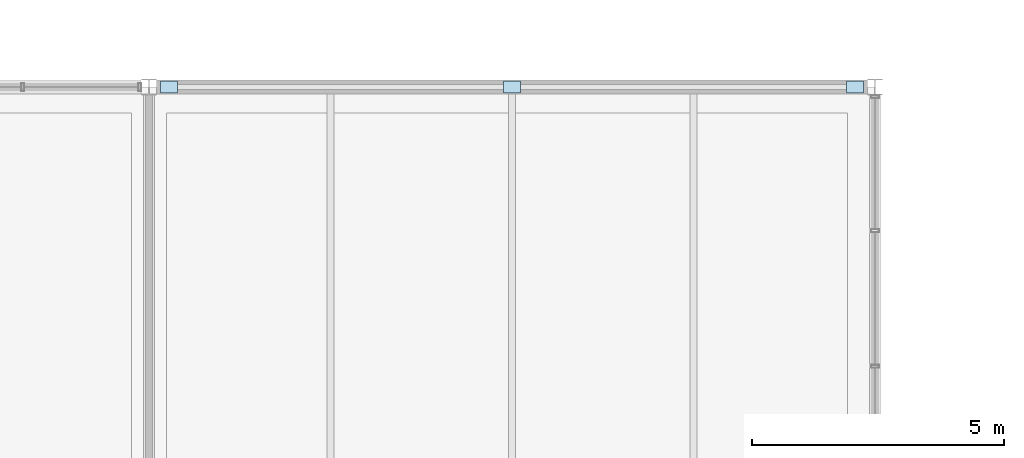
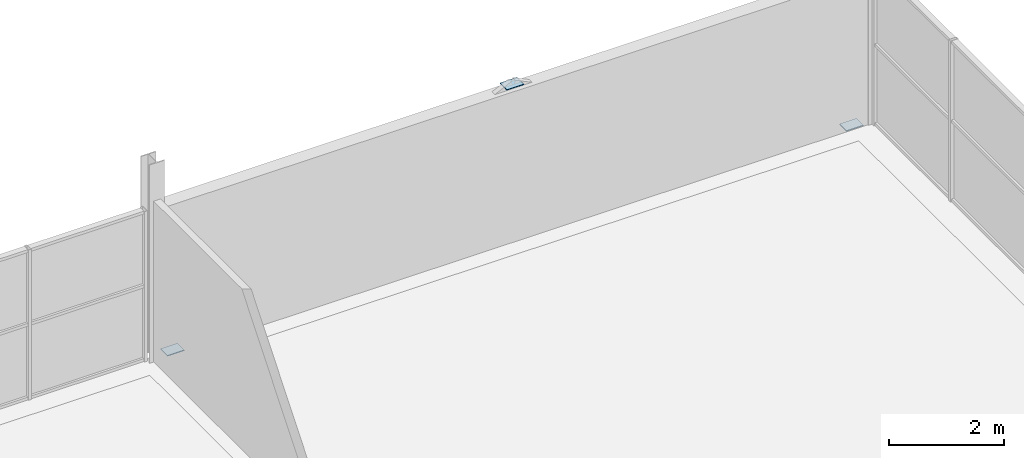
# One storey, part 75 of 93: 3 plates.
"""IFC4 building model written with IfcOpenShell, lengths in metres."""

from ifc_helpers import new_model, si_unit, direction, frame, origin, origin_2d, place, context, subcontext, project, spatial, rectangle, extrude, material, layer, layer_set, type_object, element, save


model = new_model("IFC4")

# Units and contexts
model_context = context("Model", 3, precision=1e-05, world=origin(), true_north=direction((0.0, 1.0)))
body_context = subcontext(model_context, "Body", "Model", "MODEL_VIEW")
ifc_project = project(units=[si_unit("LENGTHUNIT", "METRE"), si_unit("AREAUNIT", "SQUARE_METRE"), si_unit("VOLUMEUNIT", "CUBIC_METRE"), si_unit("PLANEANGLEUNIT", "RADIAN"), si_unit("MASSUNIT", "GRAM", prefix="KILO"), si_unit("THERMODYNAMICTEMPERATUREUNIT", "KELVIN")], contexts=[model_context])

# Site, building, storey
site_placement = place(None, origin())
site = spatial("IfcSite", under=ifc_project, at=site_placement, CompositionType="ELEMENT")
building_placement = place(site_placement, origin())
building = spatial("IfcBuilding", under=site, at=building_placement, Name="Nduvali Passage Aquatics Centre", CompositionType="ELEMENT")
storey_placement = place(building_placement, frame((0.0, 0.0, 9.0)))
storey = spatial("IfcBuildingStorey", under=building, at=storey_placement, Name="L02", CompositionType="ELEMENT", Elevation=9.0)

# Plates
ifc_material = material(Name="Steel S355", Category="steel")
ifc_layer = layer(ifc_material, 0.01611328125, Name="Steel S355")
ifc_layer_set = layer_set([ifc_layer], Name="Steel S355")
plate_type = type_object("IfcPlateType", Name="STR-PLT-CAP1", PredefinedType="SHEET", material=ifc_layer_set)
for number, where, z_axis, x_axis, name in (
    (1, (118.800048828125, 117.60009765625, 3.241943359375), (0.0, 0.0, 1.0), (1.0, 0.0, 0.0), "L02 Chevron Apex Gusset Plate 07"),
    (2, (112.0, 117.60009765625, -0.008056640625), (0.0, 0.0, 1.0), (1.0, 0.0, 0.0), "L02 Brace Foot Gusset Plate 0172"),
    (3, (125.60009765625, 117.60009765625, -0.008056640625), (0.0, 0.0, 1.0), (1.0, 0.0, 0.0), "L02 Brace Foot Gusset Plate 0173"),
):
    element("IfcPlate", number, at=place(storey_placement, frame(where, z_axis=z_axis, x_axis=x_axis)), inside=storey, type_object=plate_type, Name=name, PredefinedType="SHEET", context=body_context, shape_type="SweptSolid", body=[
        extrude(rectangle(XDim=0.340087890625, YDim=0.239990234375, at=origin_2d()), origin(), (0.0, 0.0, 1.0), 0.01611328125),
    ])

save(model, "model.ifc")
